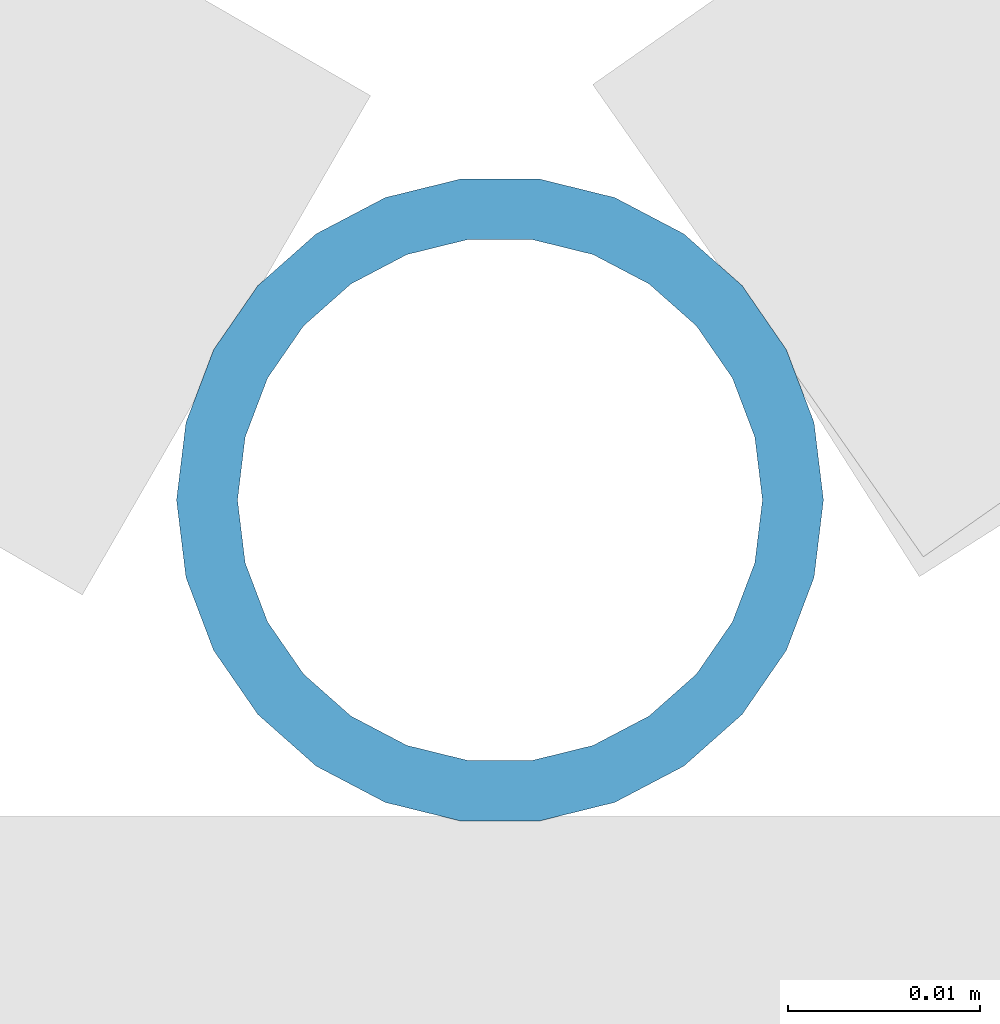
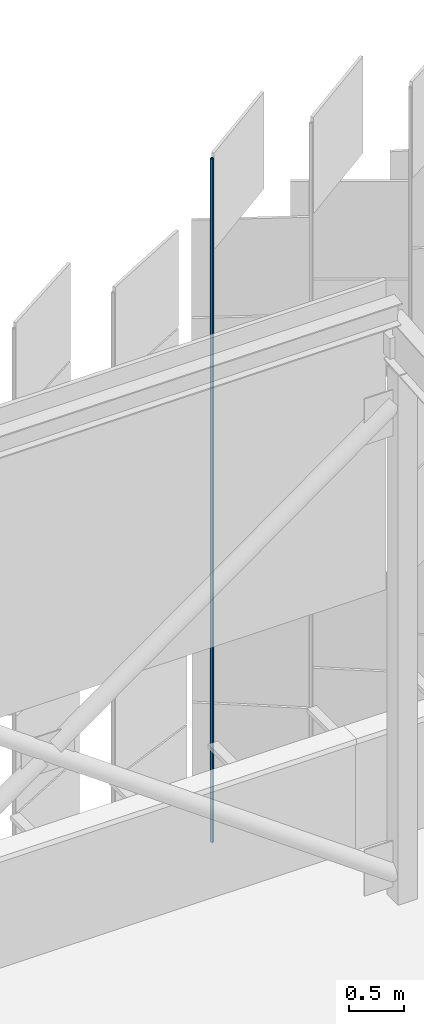
# One storey, part 379 of 483: 1 discrete accessory.
"""IFC4 building model written with IfcOpenShell, lengths in metres."""

from ifc_helpers import new_model, si_unit, direction, frame, origin, origin_2d, place, context, subcontext, project, spatial, hollow_circle, extrude, material, material_profile, profile_set, type_object, element, save


model = new_model("IFC4")

# Units and contexts
model_context = context("Model", 3, precision=1e-05, world=origin(), true_north=direction((0.0, 1.0)))
body_context = subcontext(model_context, "Body", "Model", "MODEL_VIEW")
ifc_project = project(units=[si_unit("LENGTHUNIT", "METRE"), si_unit("AREAUNIT", "SQUARE_METRE"), si_unit("VOLUMEUNIT", "CUBIC_METRE"), si_unit("PLANEANGLEUNIT", "RADIAN"), si_unit("MASSUNIT", "GRAM", prefix="KILO")], contexts=[model_context])

# Site, building, storey
site_placement = place(None, origin())
site = spatial("IfcSite", under=ifc_project, at=site_placement, CompositionType="ELEMENT")
building_placement = place(site_placement, origin())
building = spatial("IfcBuilding", under=site, at=building_placement, Name="Parallax Yard Mobility Hub", CompositionType="ELEMENT")
storey_placement = place(building_placement, frame((0.0, 0.0, 13.199951171875)))
storey = spatial("IfcBuildingStorey", under=building, at=storey_placement, Name="L04", CompositionType="ELEMENT", Elevation=13.199951171875)

# Discrete accessory
ifc_material = material(Name="Steel ASTM A500 Gr C, hot-dip galvanised", Category="steel")
ifc_material_profile = material_profile(ifc_material, hollow_circle(Radius=0.016845703125, WallThickness=0.003173828125, at=origin_2d()), Name="CHS 33.7x3.2")
ifc_profile_set = profile_set([ifc_material_profile], Name="Steel ASTM A500 Gr C, hot-dip galvanised")
discrete_accessory_type = type_object("IfcDiscreteAccessoryType", Name="Hinge post CHS 33.7x3.2", PredefinedType="BRACKET", material=ifc_profile_set)
discrete_accessory_placement = place(storey_placement, frame((163.929443359375, 143.03125, 0.0), z_axis=(0.0, 0.0, 1.0), x_axis=(1.0, 0.0, 0.0)))
element("IfcDiscreteAccessory", 1, at=discrete_accessory_placement, inside=storey, type_object=discrete_accessory_type, Name="Hinge post bay 52.2 level L04", PredefinedType="BRACKET", context=body_context, shape_type="SweptSolid", body=[
    extrude(hollow_circle(Radius=0.016845703125, WallThickness=0.003173828125, at=origin_2d()), origin(), (0.0, 0.0, 1.0), 7.650146484375),
])

save(model, "model.ifc")
